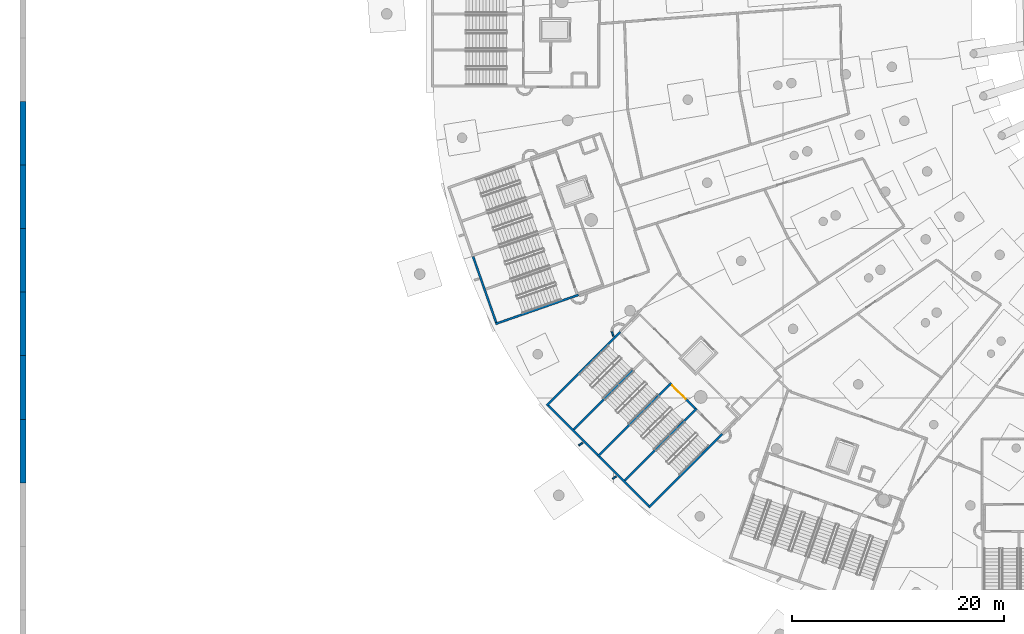
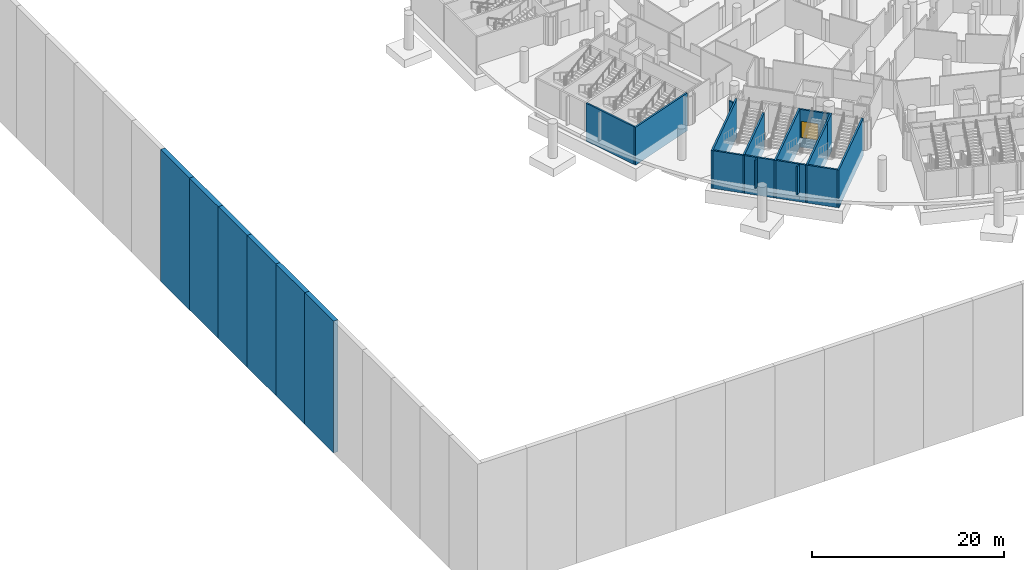
# One storey, part 35 of 142: 20 walls, 1 door, 1 opening.
"""IFC4 building model written with IfcOpenShell, lengths in metres."""

from ifc_helpers import new_model, si_unit, direction, frame, frame_2d, origin, place, context, subcontext, project, spatial, rectangle, extrude, material, layer, layer_set, type_object, element, fill, save


model = new_model("IFC4")

# Units and contexts
model_context = context("Model", 3, precision=1e-05, world=origin(), true_north=direction((0.0, 1.0)))
body_context = subcontext(model_context, "Body", "Model", "MODEL_VIEW")
ifc_project = project(units=[si_unit("LENGTHUNIT", "METRE"), si_unit("AREAUNIT", "SQUARE_METRE"), si_unit("VOLUMEUNIT", "CUBIC_METRE"), si_unit("PLANEANGLEUNIT", "RADIAN"), si_unit("MASSUNIT", "GRAM", prefix="KILO")], contexts=[model_context])

# Site, building, storey
site_placement = place(None, origin())
site = spatial("IfcSite", under=ifc_project, at=site_placement, CompositionType="ELEMENT")
building_placement = place(site_placement, origin())
building = spatial("IfcBuilding", under=site, at=building_placement, Name="Meseta Stadium", CompositionType="ELEMENT")
storey_placement = place(building_placement, frame((0.0, 0.0, -4.0)))
storey = spatial("IfcBuildingStorey", under=building, at=storey_placement, Name="B1", CompositionType="ELEMENT", Elevation=-4.0)

# Walls
ifc_material_1 = material(Name="Concrete C40/50", Category="concrete")
ifc_layer_1 = layer(ifc_material_1, 0.199951171875)
ifc_layer_set_1 = layer_set([ifc_layer_1], Name="Core divider wall 200")
wall_type_1 = type_object("IfcWallType", Name="Core divider wall 200", PredefinedType="SHEAR", material=ifc_layer_set_1)
for number, where, z_axis, x_axis, name in (
    (1, (-83.90087890625, -83.092529296875, -1.199951171875), (0.0, 0.0, 1.0), (0.707106781187, 0.707106781187, 0.0), "Core 21 B1 stair A divider wall"),
    (2, (-79.092529296875, -87.90087890625, -1.199951171875), (0.0, 0.0, 1.0), (0.707106781187, 0.707106781187, 0.0), "Core 21 B1 stair B divider wall"),
):
    element("IfcWall", number, at=place(storey_placement, frame(where, z_axis=z_axis, x_axis=x_axis)), inside=storey, type_object=wall_type_1, Name=name, PredefinedType="SHEAR", context=body_context, shape_type="SweptSolid", body=[
        extrude(rectangle(XDim=8.099853515625, YDim=0.199951171875, at=frame_2d((4.0498046875, 0.0))), origin(), (0.0, 0.0, 1.0), 4.800048828125),
    ])
wall_1_placement = place(storey_placement, frame((-73.364990234375, -82.17333984375, -1.199951171875), z_axis=(0.0, 0.0, 1.0), x_axis=(0.707034968179, 0.707178586901, 0.0)))
element("IfcWall", 3, at=wall_1_placement, inside=storey, type_object=wall_type_1, Name="Core 21 B1 stair B divider wall", PredefinedType="SHEAR", context=body_context, shape_type="SweptSolid", body=[
    extrude(rectangle(XDim=1.699951171875, YDim=0.199951171875, at=frame_2d((0.85009765625, 0.0))), origin(), (0.0, 0.0, 1.0), 4.800048828125),
])
ifc_material_2 = material(Name="Concrete C40/50", Category="concrete")
ifc_layer_2 = layer(ifc_material_2, 0.199951171875)
ifc_layer_set_2 = layer_set([ifc_layer_2], Name="Core shaft wall 200")
wall_type_2 = type_object("IfcWallType", Name="Core shaft wall 200", PredefinedType="SHEAR", material=ifc_layer_set_2)
wall_2_placement = place(storey_placement, frame((-91.136962890625, -72.998291015625, -1.199951171875), z_axis=(0.0, 0.0, 1.0), x_axis=(0.943887243331, 0.330267878966, 0.0)))
element("IfcWall", 4, at=wall_2_placement, inside=storey, type_object=wall_type_2, Name="Core 20 B1 stair wall B-side", PredefinedType="SHEAR", context=body_context, shape_type="SweptSolid", body=[
    extrude(rectangle(XDim=8.300048828125, YDim=0.199951171875, at=frame_2d((4.14990234375, 0.0))), origin(), (0.0, 0.0, 1.0), 4.800048828125),
])
wall_3_placement = place(storey_placement, frame((-93.255615234375, -66.641357421875, -1.199951171875), z_axis=(0.0, 0.0, 1.0), x_axis=(0.330286164688, -0.943880844925, 0.0)))
element("IfcWall", 5, at=wall_3_placement, inside=storey, type_object=wall_type_2, Name="Core 20 B1 stair B outer end wall", PredefinedType="SHEAR", context=body_context, shape_type="SweptSolid", body=[
    extrude(rectangle(XDim=6.60009765625, YDim=0.199951171875, at=frame_2d((3.300048828125, 0.0))), origin(), (0.0, 0.0, 1.0), 4.800048828125),
])
for number, where, z_axis, x_axis, name in (
    (6, (-86.30517578125, -80.6884765625, -1.199951171875), (0.0, 0.0, 1.0), (0.707106781187, 0.707106781187, 0.0), "Core 21 B1 stair wall A-side"),
    (7, (-81.496826171875, -85.496826171875, -1.199951171875), (0.0, 0.0, 1.0), (0.707106781187, 0.707106781187, 0.0), "Core 21 B1 stair wall shared"),
    (8, (-76.6884765625, -90.30517578125, -1.199951171875), (0.0, 0.0, 1.0), (0.707106781187, 0.707106781187, 0.0), "Core 21 B1 stair wall B-side"),
):
    element("IfcWall", number, at=place(storey_placement, frame(where, z_axis=z_axis, x_axis=x_axis)), inside=storey, type_object=wall_type_2, Name=name, PredefinedType="SHEAR", context=body_context, shape_type="SweptSolid", body=[
        extrude(rectangle(XDim=9.800048828125, YDim=0.199951171875, at=frame_2d((4.89990234375, 0.0))), origin(), (0.0, 0.0, 1.0), 4.800048828125),
    ])
for number, where, z_axis, x_axis, name in (
    (9, (-86.163818359375, -80.6884765625, -1.199951171875), (0.0, 0.0, 1.0), (0.707125276584, -0.707088285305, 0.0), "Core 21 B1 stair A outer end wall"),
    (10, (-81.355224609375, -85.496826171875, -1.199951171875), (0.0, 0.0, 1.0), (0.707088285305, -0.707125276584, 0.0), "Core 21 B1 stair B outer end wall"),
):
    element("IfcWall", number, at=place(storey_placement, frame(where, z_axis=z_axis, x_axis=x_axis)), inside=storey, type_object=wall_type_2, Name=name, PredefinedType="SHEAR", context=body_context, shape_type="SweptSolid", body=[
        extrude(rectangle(XDim=6.599853515625, YDim=0.199951171875, at=frame_2d((3.2998046875, 0.0))), origin(), (0.0, 0.0, 1.0), 4.800048828125),
    ])

# Wall, opening, door
wall_4_placement = place(storey_placement, frame((-74.567138671875, -78.70849609375, -1.199951171875), z_axis=(0.0, 0.0, 1.0), x_axis=(0.707106781187, -0.707106781187, 0.0)))
wall_4 = element("IfcWall", 11, at=wall_4_placement, inside=storey, type_object=wall_type_2, Name="Core 21 B1 stair B1 inner end wall", PredefinedType="SHEAR", context=body_context, shape_type="SweptSolid", body=[
    extrude(rectangle(XDim=3.199951171875, YDim=0.199951171875, at=frame_2d((1.60009765625, 0.0))), origin(), (0.0, 0.0, 1.0), 4.800048828125),
])
opening_placement = place(wall_4_placement, frame((0.14990234375, 0.0, 1.199951171875)))
opening = element("IfcOpeningElement", 12, at=opening_placement, cuts=wall_4, Name="Opening D283", PredefinedType="OPENING", context=body_context, shape_type="SweptSolid", body=[
    extrude(rectangle(XDim=1.800048828125, YDim=2.10009765625, at=frame_2d((0.89990234375, 1.050048828125))), frame((0.0, 0.10986328125, 0.0), z_axis=(0.0, -1.0, 0.0), x_axis=(1.0, 0.0, 0.0)), (0.0, 0.0, 1.0), 0.219970703125),
])
ifc_material_3 = material(Name="Steel", Category="steel")
door_type = type_object("IfcDoorType", Name="Stair door 1800x2100", OperationType="DOUBLE_DOOR_SINGLE_SWING", PredefinedType="DOOR", material=ifc_material_3)
door_placement = place(opening_placement, origin())
door = element("IfcDoor", 13, at=door_placement, inside=storey, type_object=door_type, Name="Stair B1 door 21 B1", OperationType="DOUBLE_DOOR_SINGLE_SWING", OverallHeight=2.10009765625, OverallWidth=1.800048828125, PredefinedType="DOOR", context=body_context, shape_type="SweptSolid", body=[
    extrude(rectangle(XDim=1.800048828125, YDim=2.10009765625, at=frame_2d((0.89990234375, 1.050048828125))), frame((0.0, 0.02490234375, 0.0), z_axis=(0.0, -1.0, 0.0), x_axis=(1.0, 0.0, 0.0)), (0.0, 0.0, 1.0), 0.050048828125),
])
fill(opening, door)

# Walls
ifc_material_4 = material(Name="Masonry blockwork", Category="masonry")
ifc_layer_3 = layer(ifc_material_4, 0.14990234375)
ifc_layer_set_3 = layer_set([ifc_layer_3], Name="Partition 150")
wall_type_3 = type_object("IfcWallType", Name="Partition 150", PredefinedType="PARTITIONING", material=ifc_layer_set_3)
wall_5_placement = place(storey_placement, frame((-82.9189453125, -84.216064453125, 0.0), z_axis=(0.0, 0.0, 1.0), x_axis=(-0.828717044538, -0.55966781227, 0.0)))
element("IfcWall", 14, at=wall_5_placement, inside=storey, type_object=wall_type_3, Name="Partition B1 B1-cell19-3-0", PredefinedType="PARTITIONING", context=body_context, shape_type="SweptSolid", body=[
    extrude(rectangle(XDim=0.43017578125, YDim=0.14990234375, at=frame_2d((0.215087890625, 0.0))), origin(), (0.0, 0.0, 1.0), 3.60009765625),
])
wall_6_placement = place(storey_placement, frame((-80.09130859375, -87.615966796875, 0.0), z_axis=(0.0, 0.0, 1.0), x_axis=(0.828663224866, 0.559747496425, 0.0)))
element("IfcWall", 15, at=wall_6_placement, inside=storey, type_object=wall_type_3, Name="Partition B1 B1-cell20-3-0", PredefinedType="PARTITIONING", context=body_context, shape_type="SweptSolid", body=[
    extrude(rectangle(XDim=0.412109375, YDim=0.14990234375, at=frame_2d((0.2060546875, 0.0))), origin(), (0.0, 0.0, 1.0), 3.60009765625),
])
wall_7_placement = place(storey_placement, frame((-80.173828125, -73.693603515625, 0.0), z_axis=(0.0, 0.0, 1.0), x_axis=(0.337142214413, -0.941453730813, 0.0)))
element("IfcWall", 16, at=wall_7_placement, inside=storey, type_object=wall_type_3, Name="Stair vestibule wall B1 core 21", PredefinedType="PARTITIONING", context=body_context, shape_type="SweptSolid", body=[
    extrude(rectangle(XDim=0.4990234375, YDim=0.14990234375, at=frame_2d((0.24951171875, 0.0))), origin(), (0.0, 0.0, 1.0), 3.60009765625),
])
ifc_material_5 = material(Name="Concrete C30/37", Category="concrete")
ifc_layer_4 = layer(ifc_material_5, 0.550048828125)
ifc_layer_set_4 = layer_set([ifc_layer_4], Name="Site retaining wall 550")
wall_type_4 = type_object("IfcWallType", Name="Site retaining wall 550", PredefinedType="SOLIDWALL", material=ifc_layer_set_4)
for number, where, z_axis, x_axis, name in (
    (17, (-135.72509765625, -51.999755859375, -13.0), (0.0, 0.0, 1.0), (0.0, -1.0, 0.0), "Site retaining wall 176"),
    (18, (-135.72509765625, -57.999755859375, -13.0), (0.0, 0.0, 1.0), (0.0, -1.0, 0.0), "Site retaining wall 177"),
    (19, (-135.72509765625, -63.999755859375, -13.0), (0.0, 0.0, 1.0), (0.0, -1.0, 0.0), "Site retaining wall 178"),
    (20, (-135.72509765625, -69.999755859375, -13.0), (0.0, 0.0, 1.0), (0.0, -1.0, 0.0), "Site retaining wall 179"),
):
    element("IfcWall", number, at=place(storey_placement, frame(where, z_axis=z_axis, x_axis=x_axis)), inside=storey, type_object=wall_type_4, Name=name, PredefinedType="SOLIDWALL", context=body_context, shape_type="SweptSolid", body=[
        extrude(rectangle(XDim=6.0, YDim=0.550048828125, at=frame_2d((3.0, 0.0))), origin(), (0.0, 0.0, 1.0), 16.75),
    ])
wall_8_placement = place(storey_placement, frame((-135.72509765625, -75.999755859375, -13.0), z_axis=(0.0, 0.0, 1.0), x_axis=(0.0, -1.0, 0.0)))
element("IfcWall", 21, at=wall_8_placement, inside=storey, type_object=wall_type_4, Name="Site retaining wall 180", PredefinedType="SOLIDWALL", context=body_context, shape_type="SweptSolid", body=[
    extrude(rectangle(XDim=5.999755859375, YDim=0.550048828125, at=frame_2d((3.0, 0.0))), origin(), (0.0, 0.0, 1.0), 16.75),
])
wall_9_placement = place(storey_placement, frame((-135.72509765625, -81.99951171875, -13.0), z_axis=(0.0, 0.0, 1.0), x_axis=(0.0, -1.0, 0.0)))
element("IfcWall", 22, at=wall_9_placement, inside=storey, type_object=wall_type_4, Name="Site retaining wall 181", PredefinedType="SOLIDWALL", context=body_context, shape_type="SweptSolid", body=[
    extrude(rectangle(XDim=6.0, YDim=0.550048828125, at=frame_2d((3.0, 0.0))), origin(), (0.0, 0.0, 1.0), 16.75),
])

save(model, "model.ifc")
